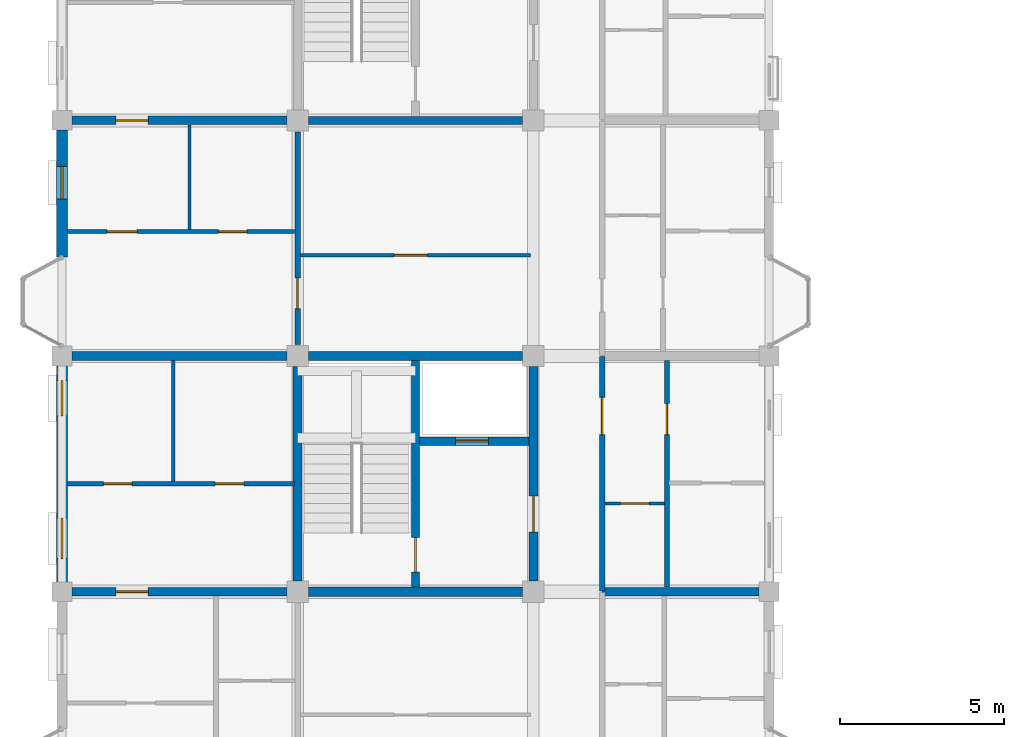
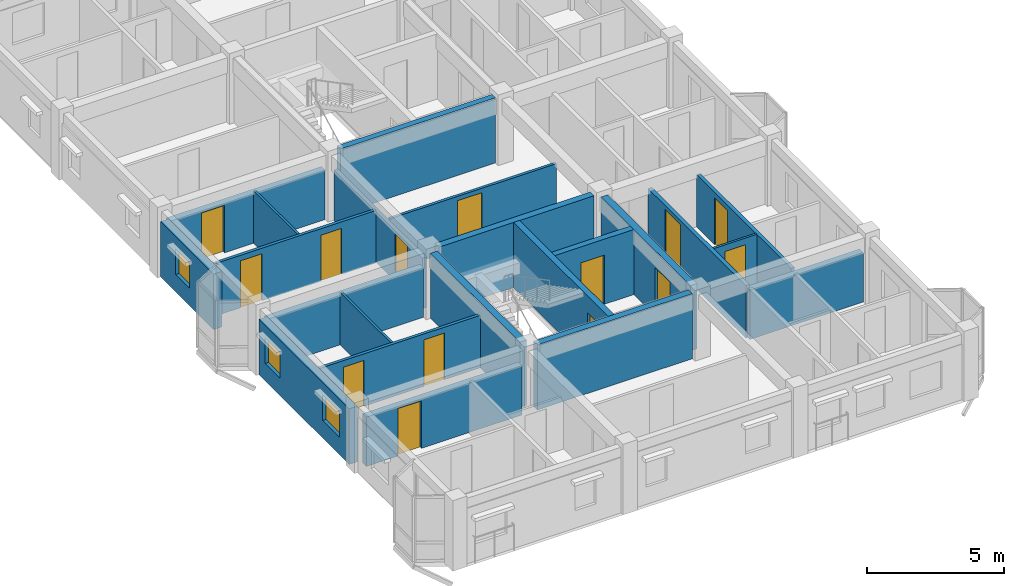
# One storey, part 96 of 124: 22 walls, 14 doors, 3 windows, 17 openings.
"""IFC4 building model written with IfcOpenShell, lengths in metres."""

from ifc_helpers import new_model, si_unit, direction, frame, frame_2d, origin, place, context, subcontext, project, spatial, rectangle, extrude, material, layer, layer_set, type_object, element, fill, save


model = new_model("IFC4")

# Units and contexts
model_context = context("Model", 3, precision=1e-05, world=origin(), true_north=direction((0.0, 1.0)))
body_context = subcontext(model_context, "Body", "Model", "MODEL_VIEW")
ifc_project = project(units=[si_unit("LENGTHUNIT", "METRE"), si_unit("AREAUNIT", "SQUARE_METRE"), si_unit("VOLUMEUNIT", "CUBIC_METRE"), si_unit("PLANEANGLEUNIT", "RADIAN"), si_unit("MASSUNIT", "GRAM", prefix="KILO"), si_unit("THERMODYNAMICTEMPERATUREUNIT", "KELVIN"), si_unit("POWERUNIT", "WATT")], contexts=[model_context])

# Site, building, storey
site_placement = place(None, origin())
site = spatial("IfcSite", under=ifc_project, at=site_placement, CompositionType="ELEMENT")
building_placement = place(site_placement, origin())
building = spatial("IfcBuilding", under=site, at=building_placement, Name="Tavuni Mirador Residences", CompositionType="ELEMENT")
storey_placement = place(building_placement, frame((0.0, 0.0, 7.64990234375)))
storey = spatial("IfcBuildingStorey", under=building, at=storey_placement, Name="L02", CompositionType="ELEMENT", Elevation=7.64990234375)

# Wall, opening, door
ifc_material_1 = material(Name="Precast concrete C40/50", Category="concrete")
ifc_layer_1 = layer(ifc_material_1, 0.25, Name="Precast concrete C40/50", Category="concrete")
ifc_layer_set_1 = layer_set([ifc_layer_1], Name="Precast concrete C40/50")
wall_type_1 = type_object("IfcWallType", Name="WT-COR250", PredefinedType="SHEAR", material=ifc_layer_set_1)
wall_1_placement = place(storey_placement, frame((14.39990234375, 72.139892578125, 0.0), z_axis=(0.0, 0.0, 1.0), x_axis=(0.0, 1.0, 0.0)))
wall_1 = element("IfcWall", 1, at=wall_1_placement, inside=storey, type_object=wall_type_1, Name="CWALL-C3-L02-MID", PredefinedType="SHEAR", context=body_context, shape_type="SweptSolid", body=[
    extrude(rectangle(XDim=6.920166015625, YDim=0.25, at=frame_2d((3.4599609375, 0.0))), origin(), (0.0, 0.0, 1.0), 2.91015625),
])
opening_1_placement = place(wall_1_placement, frame((0.4599609375, 0.0, 0.0)))
opening_1 = element("IfcOpeningElement", 2, at=opening_1_placement, cuts=wall_1, Name="Opening D-01", PredefinedType="OPENING", context=body_context, shape_type="SweptSolid", body=[
    extrude(rectangle(XDim=1.050048828125, YDim=2.14990234375, at=frame_2d((0.52490234375, 1.074951171875))), frame((0.0, 0.135009765625, 0.0), z_axis=(0.0, -1.0, 0.0), x_axis=(1.0, 0.0, 0.0)), (0.0, 0.0, 1.0), 0.27001953125),
])
ifc_material_2 = material(Name="Solid core iroko timber", Category="wood")
door_type_1 = type_object("IfcDoorType", Name="DT-ST1050", OperationType="NOTDEFINED", PredefinedType="DOOR", material=ifc_material_2)
door_1_placement = place(opening_1_placement, origin())
door_1 = element("IfcDoor", 3, at=door_1_placement, inside=storey, type_object=door_type_1, Name="DR-2119", OperationType="SINGLE_SWING_LEFT", OverallHeight=2.14990234375, OverallWidth=1.050048828125, PredefinedType="DOOR", context=body_context, shape_type="SweptSolid", body=[
    extrude(rectangle(XDim=1.050048828125, YDim=2.14990234375, at=frame_2d((0.52490234375, 1.074951171875))), frame((0.0, 0.02490234375, 0.0), z_axis=(0.0, -1.0, 0.0), x_axis=(1.0, 0.0, 0.0)), (0.0, 0.0, 1.0), 0.050048828125),
])
fill(opening_1, door_1)

wall_2_placement = place(storey_placement, frame((14.52490234375, 76.60009765625, 0.0), z_axis=(0.0, 0.0, 1.0), x_axis=(1.0, 0.0, 0.0)))
wall_2 = element("IfcWall", 4, at=wall_2_placement, inside=storey, type_object=wall_type_1, Name="CWALL-C3-L02-SHF", PredefinedType="SHEAR", context=body_context, shape_type="SweptSolid", body=[
    extrude(rectangle(XDim=3.335205078125, YDim=0.25, at=frame_2d((1.66748046875, 0.0))), origin(), (0.0, 0.0, 1.0), 2.91015625),
])
opening_2_placement = place(wall_2_placement, frame((1.10009765625, 0.0, 0.0)))
opening_2 = element("IfcOpeningElement", 5, at=opening_2_placement, cuts=wall_2, Name="Opening LD-02", PredefinedType="OPENING", context=body_context, shape_type="SweptSolid", body=[
    extrude(rectangle(XDim=1.0, YDim=2.199951171875, at=frame_2d((0.5, 1.10009765625))), frame((0.0, 0.135009765625, 0.0), z_axis=(0.0, -1.0, 0.0), x_axis=(1.0, 0.0, 0.0)), (0.0, 0.0, 1.0), 0.27001953125),
])
ifc_material_3 = material(Name="Structural steel S355", Category="steel")
door_type_2 = type_object("IfcDoorType", Name="DT-LD-PAX", OperationType="SLIDING_TO_LEFT", PredefinedType="DOOR", material=ifc_material_3)
door_2_placement = place(opening_2_placement, origin())
door_2 = element("IfcDoor", 6, at=door_2_placement, inside=storey, type_object=door_type_2, Name="Lift landing door PL-B1 L02", OperationType="SLIDING_TO_LEFT", OverallHeight=2.199951171875, OverallWidth=1.0, PredefinedType="DOOR", context=body_context, shape_type="SweptSolid", body=[
    extrude(rectangle(XDim=1.0, YDim=2.199951171875, at=frame_2d((0.5, 1.10009765625))), frame((0.0, 0.02490234375, 0.0), z_axis=(0.0, -1.0, 0.0), x_axis=(1.0, 0.0, 0.0)), (0.0, 0.0, 1.0), 0.050048828125),
])
fill(opening_2, door_2)

# Walls
wall_3_placement = place(storey_placement, frame((11.125, 86.39990234375, 0.0), z_axis=(0.0, 0.0, 1.0), x_axis=(1.0, 0.0, 0.0)))
element("IfcWall", 7, at=wall_3_placement, inside=storey, type_object=wall_type_1, Name="CWALL-C4-L02-SS", PredefinedType="SHEAR", context=body_context, shape_type="SweptSolid", body=[
    extrude(rectangle(XDim=6.550048828125, YDim=0.25, at=frame_2d((3.27490234375, 0.0))), origin(), (0.0, 0.0, 1.0), 2.91015625),
])
ifc_layer_2 = layer(ifc_material_1, 0.280029296875, Name="Precast concrete C40/50", Category="concrete")
ifc_layer_set_2 = layer_set([ifc_layer_2], Name="Precast concrete C40/50")
wall_type_2 = type_object("IfcWallType", Name="WT-COR280", PredefinedType="SHEAR", material=ifc_layer_set_2)
for number, where, z_axis, x_axis, name in (
    (8, (10.800048828125, 72.324951171875, 0.0), (0.0, 0.0, 1.0), (0.0, 1.0, 0.0), "CWALL-C3-L02-W"),
    (9, (11.125, 79.199951171875, 0.0), (0.0, 0.0, 1.0), (1.0, 0.0, 0.0), "CWALL-C3-L02-N"),
):
    element("IfcWall", number, at=place(storey_placement, frame(where, z_axis=z_axis, x_axis=x_axis)), inside=storey, type_object=wall_type_2, Name=name, PredefinedType="SHEAR", context=body_context, shape_type="SweptSolid", body=[
        extrude(rectangle(XDim=6.550048828125, YDim=0.280029296875, at=frame_2d((3.27490234375, 0.0))), origin(), (0.0, 0.0, 1.0), 2.91015625),
    ])

# Wall, opening, door
wall_4_placement = place(storey_placement, frame((18.0, 72.324951171875, 0.0), z_axis=(0.0, 0.0, 1.0), x_axis=(0.0, 1.0, 0.0)))
wall_4 = element("IfcWall", 10, at=wall_4_placement, inside=storey, type_object=wall_type_2, Name="CWALL-C3-L02-E", PredefinedType="SHEAR", context=body_context, shape_type="SweptSolid", body=[
    extrude(rectangle(XDim=6.550048828125, YDim=0.280029296875, at=frame_2d((3.27490234375, 0.0))), origin(), (0.0, 0.0, 1.0), 2.91015625),
])
opening_3_placement = place(wall_4_placement, frame((1.5, 0.0, 0.0)))
opening_3 = element("IfcOpeningElement", 11, at=opening_3_placement, cuts=wall_4, Name="Opening D-02", PredefinedType="OPENING", context=body_context, shape_type="SweptSolid", body=[
    extrude(rectangle(XDim=1.10009765625, YDim=2.14990234375, at=frame_2d((0.550048828125, 1.074951171875))), frame((0.0, 0.14990234375, 0.0), z_axis=(0.0, -1.0, 0.0), x_axis=(1.0, 0.0, 0.0)), (0.0, 0.0, 1.0), 0.300048828125),
])
door_type_3 = type_object("IfcDoorType", Name="DT-LOB1100", OperationType="NOTDEFINED", PredefinedType="DOOR", material=ifc_material_2)
door_3_placement = place(opening_3_placement, frame((1.10009765625, 0.0, 0.0), z_axis=(0.0, 0.0, 1.0), x_axis=(-1.0, 0.0, 0.0)))
door_3 = element("IfcDoor", 12, at=door_3_placement, inside=storey, type_object=door_type_3, Name="DR-2118", OperationType="SINGLE_SWING_LEFT", OverallHeight=2.14990234375, OverallWidth=1.10009765625, PredefinedType="DOOR", context=body_context, shape_type="SweptSolid", body=[
    extrude(rectangle(XDim=1.10009765625, YDim=2.14990234375, at=frame_2d((0.550048828125, 1.074951171875))), frame((0.0, 0.02490234375, 0.0), z_axis=(0.0, -1.0, 0.0), x_axis=(1.0, 0.0, 0.0)), (0.0, 0.0, 1.0), 0.050048828125),
])
fill(opening_3, door_3)

# Wall
wall_5_placement = place(storey_placement, frame((11.125, 72.0, 0.0), z_axis=(0.0, 0.0, 1.0), x_axis=(1.0, 0.0, 0.0)))
element("IfcWall", 13, at=wall_5_placement, inside=storey, type_object=wall_type_2, Name="CWALL-C3-L02-SS", PredefinedType="SHEAR", context=body_context, shape_type="SweptSolid", body=[
    extrude(rectangle(XDim=6.550048828125, YDim=0.280029296875, at=frame_2d((3.27490234375, 0.0))), origin(), (0.0, 0.0, 1.0), 2.91015625),
])

# Wall, opening, door
ifc_layer_3 = layer(ifc_material_1, 0.1650390625, Name="Precast concrete C40/50", Category="concrete")
ifc_layer_set_3 = layer_set([ifc_layer_3], Name="Precast concrete C40/50")
wall_type_3 = type_object("IfcWallType", Name="WT-CORR165", PredefinedType="PARTITIONING", material=ifc_layer_set_3)
wall_6_placement = place(storey_placement, frame((20.10009765625, 72.02001953125, 0.0), z_axis=(0.0, 0.0, 1.0), x_axis=(0.0, 1.0, 0.0)))
wall_6 = element("IfcWall", 14, at=wall_6_placement, inside=storey, type_object=wall_type_3, Name="CORW-BLK-B-L02-0-01", PredefinedType="PARTITIONING", context=body_context, shape_type="SweptSolid", body=[
    extrude(rectangle(XDim=7.159912109375, YDim=0.1650390625, at=frame_2d((3.580078125, 0.0))), origin(), (0.0, 0.0, 1.0), 2.34521484375),
])
opening_4_placement = place(wall_6_placement, frame((4.780029296875, 0.0, 0.0)))
opening_4 = element("IfcOpeningElement", 15, at=opening_4_placement, cuts=wall_6, Name="Opening D-20", PredefinedType="OPENING", context=body_context, shape_type="SweptSolid", body=[
    extrude(rectangle(XDim=1.139892578125, YDim=2.179931640625, at=frame_2d((0.56982421875, 1.08984375))), frame((0.0, 0.092529296875, 0.0), z_axis=(0.0, -1.0, 0.0), x_axis=(1.0, 0.0, 0.0)), (0.0, 0.0, 1.0), 0.18505859375),
])
door_type_4 = type_object("IfcDoorType", Name="DT-FD60-1140", OperationType="NOTDEFINED", PredefinedType="DOOR", material=ifc_material_2)
door_4_placement = place(opening_4_placement, origin())
door_4 = element("IfcDoor", 16, at=door_4_placement, inside=storey, type_object=door_type_4, Name="DR-2546", OperationType="SINGLE_SWING_LEFT", OverallHeight=2.179931640625, OverallWidth=1.139892578125, PredefinedType="DOOR", context=body_context, shape_type="SweptSolid", body=[
    extrude(rectangle(XDim=1.139892578125, YDim=2.179931640625, at=frame_2d((0.56982421875, 1.08984375))), frame((0.0, 0.02490234375, 0.0), z_axis=(0.0, -1.0, 0.0), x_axis=(1.0, 0.0, 0.0)), (0.0, 0.0, 1.0), 0.050048828125),
])
fill(opening_4, door_4)

wall_7_placement = place(storey_placement, frame((10.800048828125, 79.550048828125, 0.0), z_axis=(0.0, 0.0, 1.0), x_axis=(0.0, 1.0, 0.0)))
wall_7 = element("IfcWall", 17, at=wall_7_placement, inside=storey, type_object=wall_type_3, Name="CORW-BLK-B-L02-1-02", PredefinedType="PARTITIONING", context=body_context, shape_type="SweptSolid", body=[
    extrude(rectangle(XDim=6.5, YDim=0.1650390625, at=frame_2d((3.25, 0.0))), origin(), (0.0, 0.0, 1.0), 2.260009765625),
])
opening_5_placement = place(wall_7_placement, frame((1.10009765625, 0.0, 0.0)))
opening_5 = element("IfcOpeningElement", 18, at=opening_5_placement, cuts=wall_7, Name="Opening D-19", PredefinedType="OPENING", context=body_context, shape_type="SweptSolid", body=[
    extrude(rectangle(XDim=0.93994140625, YDim=2.1201171875, at=frame_2d((0.469970703125, 1.06005859375))), frame((0.0, 0.092529296875, 0.0), z_axis=(0.0, -1.0, 0.0), x_axis=(1.0, 0.0, 0.0)), (0.0, 0.0, 1.0), 0.18505859375),
])
door_type_5 = type_object("IfcDoorType", Name="DT-FD60-940", OperationType="NOTDEFINED", PredefinedType="DOOR", material=ifc_material_2)
door_5_placement = place(opening_5_placement, origin())
door_5 = element("IfcDoor", 19, at=door_5_placement, inside=storey, type_object=door_type_5, Name="DR-2551", OperationType="SINGLE_SWING_RIGHT", OverallHeight=2.1201171875, OverallWidth=0.93994140625, PredefinedType="DOOR", context=body_context, shape_type="SweptSolid", body=[
    extrude(rectangle(XDim=0.93994140625, YDim=2.1201171875, at=frame_2d((0.469970703125, 1.06005859375))), frame((0.0, 0.02490234375, 0.0), z_axis=(0.0, -1.0, 0.0), x_axis=(1.0, 0.0, 0.0)), (0.0, 0.0, 1.0), 0.050048828125),
])
fill(opening_5, door_5)

# Wall, opening, window
ifc_material_4 = material(Name="Sgraffito lime-rendered precast concrete C40/50", Category="concrete")
ifc_layer_4 = layer(ifc_material_4, 0.344970703125, Name="Sgraffito lime-rendered precast concrete C40/50", Category="concrete")
ifc_layer_set_4 = layer_set([ifc_layer_4], Name="Sgraffito lime-rendered precast concrete C40/50")
wall_type_4 = type_object("IfcWallType", Name="WT-EXT-PTY345", PredefinedType="SOLIDWALL", material=ifc_layer_set_4)
wall_8_placement = place(storey_placement, frame((3.60009765625, 86.10009765625, 0.0), z_axis=(0.0, 0.0, 1.0), x_axis=(0.0, -1.0, 0.0)))
wall_8 = element("IfcWall", 20, at=wall_8_placement, inside=storey, type_object=wall_type_4, Name="EW-BLK-B-L02-W02", PredefinedType="SOLIDWALL", context=body_context, shape_type="SweptSolid", body=[
    extrude(rectangle(XDim=3.880126953125, YDim=0.344970703125, at=frame_2d((1.93994140625, 0.0))), origin(), (0.0, 0.0, 1.0), 2.47998046875),
])
opening_6_placement = place(wall_8_placement, frame((1.10498046875, 0.0, 0.780029296875)))
opening_6 = element("IfcOpeningElement", 21, at=opening_6_placement, cuts=wall_8, Name="Opening WN-03", PredefinedType="OPENING", context=body_context, shape_type="SweptSolid", body=[
    extrude(rectangle(XDim=1.0, YDim=1.14990234375, at=frame_2d((0.5, 0.574951171875))), frame((0.0, 0.1826171875, 0.0), z_axis=(0.0, -1.0, 0.0), x_axis=(1.0, 0.0, 0.0)), (0.0, 0.0, 1.0), 0.364990234375),
])
ifc_material_5 = material(Name="Laminated solar-control glass", Category="glass")
window_type_1 = type_object("IfcWindowType", Name="WNT-03", PartitioningType="SINGLE_PANEL", PredefinedType="WINDOW", material=ifc_material_5)
window_1_placement = place(opening_6_placement, origin())
window_1 = element("IfcWindow", 22, at=window_1_placement, inside=storey, type_object=window_type_1, Name="WIN-0630", OverallHeight=1.14990234375, OverallWidth=1.0, PartitioningType="SINGLE_PANEL", PredefinedType="WINDOW", context=body_context, shape_type="SweptSolid", body=[
    extrude(rectangle(XDim=1.0, YDim=1.14990234375, at=frame_2d((0.5, 0.574951171875))), frame((0.0, 0.030029296875, 0.0), z_axis=(0.0, -1.0, 0.0), x_axis=(1.0, 0.0, 0.0)), (0.0, 0.0, 1.0), 0.06005859375),
])
fill(opening_6, window_1)

# Wall, openings, windows
wall_9_placement = place(storey_placement, frame((3.60009765625, 78.89990234375, 0.0), z_axis=(0.0, 0.0, 1.0), x_axis=(0.0, -1.0, 0.0)))
wall_9 = element("IfcWall", 23, at=wall_9_placement, inside=storey, type_object=wall_type_4, Name="EW-BLK-B-L02-W01", PredefinedType="SOLIDWALL", context=body_context, shape_type="SweptSolid", body=[
    extrude(rectangle(XDim=6.599853515625, YDim=0.344970703125, at=frame_2d((3.2998046875, 0.0))), origin(), (0.0, 0.0, 1.0), 2.47998046875),
])
opening_7_placement = place(wall_9_placement, frame((0.449951171875, 0.0, 0.780029296875)))
opening_7 = element("IfcOpeningElement", 24, at=opening_7_placement, cuts=wall_9, Name="Opening WN-04", PredefinedType="OPENING", context=body_context, shape_type="SweptSolid", body=[
    extrude(rectangle(XDim=1.080078125, YDim=1.14990234375, at=frame_2d((0.5400390625, 0.574951171875))), frame((0.0, 0.1826171875, 0.0), z_axis=(0.0, -1.0, 0.0), x_axis=(1.0, 0.0, 0.0)), (0.0, 0.0, 1.0), 0.364990234375),
])
opening_8_placement = place(wall_9_placement, frame((4.64990234375, 0.0, 0.780029296875)))
opening_8 = element("IfcOpeningElement", 25, at=opening_8_placement, cuts=wall_9, Name="Opening WN-06", PredefinedType="OPENING", context=body_context, shape_type="SweptSolid", body=[
    extrude(rectangle(XDim=1.239990234375, YDim=1.14990234375, at=frame_2d((0.6201171875, 0.574951171875))), frame((0.0, 0.1826171875, 0.0), z_axis=(0.0, -1.0, 0.0), x_axis=(1.0, 0.0, 0.0)), (0.0, 0.0, 1.0), 0.364990234375),
])
window_type_2 = type_object("IfcWindowType", Name="WNT-04", PartitioningType="SINGLE_PANEL", PredefinedType="WINDOW", material=ifc_material_5)
window_2_placement = place(opening_7_placement, origin())
window_2 = element("IfcWindow", 26, at=window_2_placement, inside=storey, type_object=window_type_2, Name="WIN-0631", OverallHeight=1.14990234375, OverallWidth=1.080078125, PartitioningType="SINGLE_PANEL", PredefinedType="WINDOW", context=body_context, shape_type="SweptSolid", body=[
    extrude(rectangle(XDim=1.080078125, YDim=1.14990234375, at=frame_2d((0.5400390625, 0.574951171875))), frame((0.0, 0.030029296875, 0.0), z_axis=(0.0, -1.0, 0.0), x_axis=(1.0, 0.0, 0.0)), (0.0, 0.0, 1.0), 0.06005859375),
])
fill(opening_7, window_2)
window_type_3 = type_object("IfcWindowType", Name="WNT-06", PartitioningType="SINGLE_PANEL", PredefinedType="WINDOW", material=ifc_material_5)
window_3_placement = place(opening_8_placement, origin())
window_3 = element("IfcWindow", 27, at=window_3_placement, inside=storey, type_object=window_type_3, Name="WIN-0632", OverallHeight=1.14990234375, OverallWidth=1.239990234375, PartitioningType="SINGLE_PANEL", PredefinedType="WINDOW", context=body_context, shape_type="SweptSolid", body=[
    extrude(rectangle(XDim=1.239990234375, YDim=1.14990234375, at=frame_2d((0.6201171875, 0.574951171875))), frame((0.0, 0.030029296875, 0.0), z_axis=(0.0, -1.0, 0.0), x_axis=(1.0, 0.0, 0.0)), (0.0, 0.0, 1.0), 0.06005859375),
])
fill(opening_8, window_3)

# Wall
ifc_material_6 = material(Name="Acoustic gypsum and concrete block partition", Category="concrete")
ifc_layer_5 = layer(ifc_material_6, 0.094970703125, Name="Acoustic gypsum and concrete block partition", Category="concrete")
ifc_layer_set_5 = layer_set([ifc_layer_5], Name="Acoustic gypsum and concrete block partition")
wall_type_5 = type_object("IfcWallType", Name="WT-PART095", PredefinedType="PARTITIONING", material=ifc_layer_set_5)
wall_10_placement = place(storey_placement, frame((7.0, 75.3701171875, 0.0), z_axis=(0.0, 0.0, 1.0), x_axis=(0.0, 1.0, 0.0)))
element("IfcWall", 28, at=wall_10_placement, inside=storey, type_object=wall_type_5, Name="PW-BLK-B-L02-PF01-V", PredefinedType="PARTITIONING", context=body_context, shape_type="SweptSolid", body=[
    extrude(rectangle(XDim=3.68994140625, YDim=0.094970703125, at=frame_2d((1.844970703125, 0.0))), origin(), (0.0, 0.0, 1.0), 2.34521484375),
])

# Wall, opening, door
wall_11_placement = place(storey_placement, frame((20.18994140625, 74.699951171875, 0.0), z_axis=(0.0, 0.0, 1.0), x_axis=(1.0, 0.0, 0.0)))
wall_11 = element("IfcWall", 29, at=wall_11_placement, inside=storey, type_object=wall_type_5, Name="PW-BLK-B-L02-E01-IN1", PredefinedType="PARTITIONING", context=body_context, shape_type="SweptSolid", body=[
    extrude(rectangle(XDim=1.820068359375, YDim=0.094970703125, at=frame_2d((0.91015625, 0.0))), origin(), (0.0, 0.0, 1.0), 2.34521484375),
])
opening_9_placement = place(wall_11_placement, frame((0.47509765625, 0.0, 0.0)))
opening_9 = element("IfcOpeningElement", 30, at=opening_9_placement, cuts=wall_11, Name="Opening D-10", PredefinedType="OPENING", context=body_context, shape_type="SweptSolid", body=[
    extrude(rectangle(XDim=0.8701171875, YDim=2.050048828125, at=frame_2d((0.43505859375, 1.02490234375))), frame((0.0, 0.0576171875, 0.0), z_axis=(0.0, -1.0, 0.0), x_axis=(1.0, 0.0, 0.0)), (0.0, 0.0, 1.0), 0.114990234375),
])
door_type_6 = type_object("IfcDoorType", Name="DT-WC870", OperationType="NOTDEFINED", PredefinedType="DOOR", material=ifc_material_2)
door_6_placement = place(opening_9_placement, origin())
door_6 = element("IfcDoor", 31, at=door_6_placement, inside=storey, type_object=door_type_6, Name="DR-3482", OperationType="SINGLE_SWING_RIGHT", OverallHeight=2.050048828125, OverallWidth=0.8701171875, PredefinedType="DOOR", context=body_context, shape_type="SweptSolid", body=[
    extrude(rectangle(XDim=0.8701171875, YDim=2.050048828125, at=frame_2d((0.43505859375, 1.02490234375))), frame((0.0, 0.02490234375, 0.0), z_axis=(0.0, -1.0, 0.0), x_axis=(1.0, 0.0, 0.0)), (0.0, 0.0, 1.0), 0.050048828125),
])
fill(opening_9, door_6)

# Wall
wall_12_placement = place(storey_placement, frame((7.5, 83.070068359375, 0.0), z_axis=(0.0, 0.0, 1.0), x_axis=(0.0, 1.0, 0.0)))
element("IfcWall", 32, at=wall_12_placement, inside=storey, type_object=wall_type_5, Name="PW-BLK-B-L02-PF02-V", PredefinedType="PARTITIONING", context=body_context, shape_type="SweptSolid", body=[
    extrude(rectangle(XDim=3.18994140625, YDim=0.094970703125, at=frame_2d((1.594970703125, 0.0))), origin(), (0.0, 0.0, 1.0), 2.34521484375),
])

# Wall, opening, door
ifc_layer_6 = layer(ifc_material_6, 0.114990234375, Name="Acoustic gypsum and concrete block partition", Category="concrete")
ifc_layer_set_6 = layer_set([ifc_layer_6], Name="Acoustic gypsum and concrete block partition")
wall_type_6 = type_object("IfcWallType", Name="WT-PART115", PredefinedType="PARTITIONING", material=ifc_layer_set_6)
wall_13_placement = place(storey_placement, frame((10.889892578125, 82.280029296875, 0.0), z_axis=(0.0, 0.0, 1.0), x_axis=(1.0, 0.0, 0.0)))
wall_13 = element("IfcWall", 33, at=wall_13_placement, inside=storey, type_object=wall_type_6, Name="PW-SPN-BLK-B-L02-02", PredefinedType="PARTITIONING", context=body_context, shape_type="SweptSolid", body=[
    extrude(rectangle(XDim=7.02001953125, YDim=0.114990234375, at=frame_2d((3.510009765625, 0.0))), origin(), (0.0, 0.0, 1.0), 2.34521484375),
])
opening_10_placement = place(wall_13_placement, frame((2.85009765625, 0.0, 0.0)))
opening_10 = element("IfcOpeningElement", 34, at=opening_10_placement, cuts=wall_13, Name="Opening D-13", PredefinedType="OPENING", context=body_context, shape_type="SweptSolid", body=[
    extrude(rectangle(XDim=1.02001953125, YDim=2.14990234375, at=frame_2d((0.510009765625, 1.074951171875))), frame((0.0, 0.0673828125, 0.0), z_axis=(0.0, -1.0, 0.0), x_axis=(1.0, 0.0, 0.0)), (0.0, 0.0, 1.0), 0.135009765625),
])
door_type_7 = type_object("IfcDoorType", Name="DT-MTG1020", OperationType="NOTDEFINED", PredefinedType="DOOR", material=ifc_material_2)
door_7_placement = place(opening_10_placement, origin())
door_7 = element("IfcDoor", 35, at=door_7_placement, inside=storey, type_object=door_type_7, Name="DR-3484", OperationType="SINGLE_SWING_LEFT", OverallHeight=2.14990234375, OverallWidth=1.02001953125, PredefinedType="DOOR", context=body_context, shape_type="SweptSolid", body=[
    extrude(rectangle(XDim=1.02001953125, YDim=2.14990234375, at=frame_2d((0.510009765625, 1.074951171875))), frame((0.0, 0.02490234375, 0.0), z_axis=(0.0, -1.0, 0.0), x_axis=(1.0, 0.0, 0.0)), (0.0, 0.0, 1.0), 0.050048828125),
])
fill(opening_10, door_7)

# Wall, openings, doors
ifc_layer_7 = layer(ifc_material_6, 0.125, Name="Acoustic gypsum and concrete block partition", Category="concrete")
ifc_layer_set_7 = layer_set([ifc_layer_7], Name="Acoustic gypsum and concrete block partition")
wall_type_7 = type_object("IfcWallType", Name="WT-PART125", PredefinedType="PARTITIONING", material=ifc_layer_set_7)
wall_14_placement = place(storey_placement, frame((3.77490234375, 75.300048828125, 0.0), z_axis=(0.0, 0.0, 1.0), x_axis=(1.0, 0.0, 0.0)))
wall_14 = element("IfcWall", 36, at=wall_14_placement, inside=storey, type_object=wall_type_7, Name="PW-BLK-B-L02-PF01-H", PredefinedType="PARTITIONING", context=body_context, shape_type="SweptSolid", body=[
    extrude(rectangle(XDim=6.93505859375, YDim=0.125, at=frame_2d((3.467529296875, 0.0))), origin(), (0.0, 0.0, 1.0), 2.34521484375),
])
opening_11_placement = place(wall_14_placement, frame((1.10009765625, 0.0, 0.0)))
opening_11 = element("IfcOpeningElement", 37, at=opening_11_placement, cuts=wall_14, Name="Opening D-10", PredefinedType="OPENING", context=body_context, shape_type="SweptSolid", body=[
    extrude(rectangle(XDim=0.8701171875, YDim=2.050048828125, at=frame_2d((0.43505859375, 1.02490234375))), frame((0.0, 0.072509765625, 0.0), z_axis=(0.0, -1.0, 0.0), x_axis=(1.0, 0.0, 0.0)), (0.0, 0.0, 1.0), 0.14501953125),
])
opening_12_placement = place(wall_14_placement, frame((4.5, 0.0, 0.0)))
opening_12 = element("IfcOpeningElement", 38, at=opening_12_placement, cuts=wall_14, Name="Opening D-08", PredefinedType="OPENING", context=body_context, shape_type="SweptSolid", body=[
    extrude(rectangle(XDim=0.8798828125, YDim=2.080078125, at=frame_2d((0.43994140625, 1.0400390625))), frame((0.0, 0.072509765625, 0.0), z_axis=(0.0, -1.0, 0.0), x_axis=(1.0, 0.0, 0.0)), (0.0, 0.0, 1.0), 0.14501953125),
])
door_type_8 = type_object("IfcDoorType", Name="DT-BED880", OperationType="NOTDEFINED", PredefinedType="DOOR", material=ifc_material_2)
door_8_placement = place(opening_12_placement, origin())
door_8 = element("IfcDoor", 39, at=door_8_placement, inside=storey, type_object=door_type_8, Name="DR-3480", OperationType="SINGLE_SWING_RIGHT", OverallHeight=2.080078125, OverallWidth=0.8798828125, PredefinedType="DOOR", context=body_context, shape_type="SweptSolid", body=[
    extrude(rectangle(XDim=0.8798828125, YDim=2.080078125, at=frame_2d((0.43994140625, 1.0400390625))), frame((0.0, 0.02490234375, 0.0), z_axis=(0.0, -1.0, 0.0), x_axis=(1.0, 0.0, 0.0)), (0.0, 0.0, 1.0), 0.050048828125),
])
fill(opening_12, door_8)
door_9_placement = place(opening_11_placement, origin())
door_9 = element("IfcDoor", 40, at=door_9_placement, inside=storey, type_object=door_type_6, Name="DR-3479", OperationType="SINGLE_SWING_LEFT", OverallHeight=2.050048828125, OverallWidth=0.8701171875, PredefinedType="DOOR", context=body_context, shape_type="SweptSolid", body=[
    extrude(rectangle(XDim=0.8701171875, YDim=2.050048828125, at=frame_2d((0.43505859375, 1.02490234375))), frame((0.0, 0.02490234375, 0.0), z_axis=(0.0, -1.0, 0.0), x_axis=(1.0, 0.0, 0.0)), (0.0, 0.0, 1.0), 0.050048828125),
])
fill(opening_11, door_9)

wall_15_placement = place(storey_placement, frame((3.77490234375, 83.0, 0.0), z_axis=(0.0, 0.0, 1.0), x_axis=(1.0, 0.0, 0.0)))
wall_15 = element("IfcWall", 41, at=wall_15_placement, inside=storey, type_object=wall_type_7, Name="PW-BLK-B-L02-PF02-H", PredefinedType="PARTITIONING", context=body_context, shape_type="SweptSolid", body=[
    extrude(rectangle(XDim=6.93505859375, YDim=0.125, at=frame_2d((3.467529296875, 0.0))), origin(), (0.0, 0.0, 1.0), 2.34521484375),
])
opening_13_placement = place(wall_15_placement, frame((4.60009765625, 0.0, 0.0)))
opening_13 = element("IfcOpeningElement", 42, at=opening_13_placement, cuts=wall_15, Name="Opening D-10", PredefinedType="OPENING", context=body_context, shape_type="SweptSolid", body=[
    extrude(rectangle(XDim=0.8701171875, YDim=2.050048828125, at=frame_2d((0.43505859375, 1.02490234375))), frame((0.0, 0.072509765625, 0.0), z_axis=(0.0, -1.0, 0.0), x_axis=(1.0, 0.0, 0.0)), (0.0, 0.0, 1.0), 0.14501953125),
])
opening_14_placement = place(wall_15_placement, frame((1.199951171875, 0.0, 0.0)))
opening_14 = element("IfcOpeningElement", 43, at=opening_14_placement, cuts=wall_15, Name="Opening D-06", PredefinedType="OPENING", context=body_context, shape_type="SweptSolid", body=[
    extrude(rectangle(XDim=0.919921875, YDim=2.10009765625, at=frame_2d((0.4599609375, 1.050048828125))), frame((0.0, 0.072509765625, 0.0), z_axis=(0.0, -1.0, 0.0), x_axis=(1.0, 0.0, 0.0)), (0.0, 0.0, 1.0), 0.14501953125),
])
door_type_9 = type_object("IfcDoorType", Name="DT-INT920", OperationType="NOTDEFINED", PredefinedType="DOOR", material=ifc_material_2)
door_10_placement = place(opening_14_placement, origin())
door_10 = element("IfcDoor", 44, at=door_10_placement, inside=storey, type_object=door_type_9, Name="DR-3486", OperationType="SINGLE_SWING_RIGHT", OverallHeight=2.10009765625, OverallWidth=0.919921875, PredefinedType="DOOR", context=body_context, shape_type="SweptSolid", body=[
    extrude(rectangle(XDim=0.919921875, YDim=2.10009765625, at=frame_2d((0.4599609375, 1.050048828125))), frame((0.0, 0.02490234375, 0.0), z_axis=(0.0, -1.0, 0.0), x_axis=(1.0, 0.0, 0.0)), (0.0, 0.0, 1.0), 0.050048828125),
])
fill(opening_14, door_10)
door_11_placement = place(opening_13_placement, origin())
door_11 = element("IfcDoor", 45, at=door_11_placement, inside=storey, type_object=door_type_6, Name="DR-3485", OperationType="SINGLE_SWING_LEFT", OverallHeight=2.050048828125, OverallWidth=0.8701171875, PredefinedType="DOOR", context=body_context, shape_type="SweptSolid", body=[
    extrude(rectangle(XDim=0.8701171875, YDim=2.050048828125, at=frame_2d((0.43505859375, 1.02490234375))), frame((0.0, 0.02490234375, 0.0), z_axis=(0.0, -1.0, 0.0), x_axis=(1.0, 0.0, 0.0)), (0.0, 0.0, 1.0), 0.050048828125),
])
fill(opening_13, door_11)

# Wall, opening, door
ifc_layer_8 = layer(ifc_material_6, 0.14990234375, Name="Acoustic gypsum and concrete block partition", Category="concrete")
ifc_layer_set_8 = layer_set([ifc_layer_8], Name="Acoustic gypsum and concrete block partition")
wall_type_8 = type_object("IfcWallType", Name="WT-PART150", PredefinedType="PARTITIONING", material=ifc_layer_set_8)
wall_16_placement = place(storey_placement, frame((22.080078125, 72.139892578125, 0.0), z_axis=(0.0, 0.0, 1.0), x_axis=(0.0, 1.0, 0.0)))
wall_16 = element("IfcWall", 46, at=wall_16_placement, inside=storey, type_object=wall_type_8, Name="PW-BLK-B-L02-E01-MID", PredefinedType="PARTITIONING", context=body_context, shape_type="SweptSolid", body=[
    extrude(rectangle(XDim=6.920166015625, YDim=0.14990234375, at=frame_2d((3.4599609375, 0.0))), origin(), (0.0, 0.0, 1.0), 2.34521484375),
])
opening_15_placement = place(wall_16_placement, frame((4.659912109375, 0.0, 0.0)))
opening_15 = element("IfcOpeningElement", 47, at=opening_15_placement, cuts=wall_16, Name="Opening D-05", PredefinedType="OPENING", context=body_context, shape_type="SweptSolid", body=[
    extrude(rectangle(XDim=0.949951171875, YDim=2.10009765625, at=frame_2d((0.47509765625, 1.050048828125))), frame((0.0, 0.0849609375, 0.0), z_axis=(0.0, -1.0, 0.0), x_axis=(1.0, 0.0, 0.0)), (0.0, 0.0, 1.0), 0.169921875),
])
door_type_10 = type_object("IfcDoorType", Name="DT-INT950", OperationType="NOTDEFINED", PredefinedType="DOOR", material=ifc_material_2)
door_12_placement = place(opening_15_placement, origin())
door_12 = element("IfcDoor", 48, at=door_12_placement, inside=storey, type_object=door_type_10, Name="DR-3483", OperationType="SINGLE_SWING_LEFT", OverallHeight=2.10009765625, OverallWidth=0.949951171875, PredefinedType="DOOR", context=body_context, shape_type="SweptSolid", body=[
    extrude(rectangle(XDim=0.949951171875, YDim=2.10009765625, at=frame_2d((0.47509765625, 1.050048828125))), frame((0.0, 0.02490234375, 0.0), z_axis=(0.0, -1.0, 0.0), x_axis=(1.0, 0.0, 0.0)), (0.0, 0.0, 1.0), 0.050048828125),
])
fill(opening_15, door_12)

ifc_layer_9 = layer(ifc_material_1, 0.264892578125, Name="Precast concrete C40/50", Category="concrete")
ifc_layer_set_9 = layer_set([ifc_layer_9], Name="Precast concrete C40/50")
wall_type_9 = type_object("IfcWallType", Name="WT-XW265", PredefinedType="SOLIDWALL", material=ifc_layer_set_9)
wall_17_placement = place(storey_placement, frame((3.89990234375, 72.0, 0.0), z_axis=(0.0, 0.0, 1.0), x_axis=(1.0, 0.0, 0.0)))
wall_17 = element("IfcWall", 49, at=wall_17_placement, inside=storey, type_object=wall_type_9, Name="XW-BLK-B-L02-W-01", PredefinedType="SOLIDWALL", context=body_context, shape_type="SweptSolid", body=[
    extrude(rectangle(XDim=6.5751953125, YDim=0.264892578125, at=frame_2d((3.28759765625, 0.0))), origin(), (0.0, 0.0, 1.0), 2.210205078125),
])
opening_16_placement = place(wall_17_placement, frame((1.35009765625, 0.0, 0.0)))
opening_16 = element("IfcOpeningElement", 50, at=opening_16_placement, cuts=wall_17, Name="Opening D-04", PredefinedType="OPENING", context=body_context, shape_type="SweptSolid", body=[
    extrude(rectangle(XDim=0.97998046875, YDim=2.1201171875, at=frame_2d((0.489990234375, 1.06005859375))), frame((0.0, 0.142578125, 0.0), z_axis=(0.0, -1.0, 0.0), x_axis=(1.0, 0.0, 0.0)), (0.0, 0.0, 1.0), 0.284912109375),
])
door_type_11 = type_object("IfcDoorType", Name="DT-FD60-980", OperationType="NOTDEFINED", PredefinedType="DOOR", material=ifc_material_2)
door_13_placement = place(opening_16_placement, origin())
door_13 = element("IfcDoor", 51, at=door_13_placement, inside=storey, type_object=door_type_11, Name="DR-4712", OperationType="SINGLE_SWING_LEFT", OverallHeight=2.1201171875, OverallWidth=0.97998046875, PredefinedType="DOOR", context=body_context, shape_type="SweptSolid", body=[
    extrude(rectangle(XDim=0.97998046875, YDim=2.1201171875, at=frame_2d((0.489990234375, 1.06005859375))), frame((0.0, 0.02490234375, 0.0), z_axis=(0.0, -1.0, 0.0), x_axis=(1.0, 0.0, 0.0)), (0.0, 0.0, 1.0), 0.050048828125),
])
fill(opening_16, door_13)

# Walls
wall_18_placement = place(storey_placement, frame((20.10009765625, 72.0, 0.0), z_axis=(0.0, 0.0, 1.0), x_axis=(1.0, 0.0, 0.0)))
element("IfcWall", 52, at=wall_18_placement, inside=storey, type_object=wall_type_9, Name="XW-BLK-B-L02-E-01", PredefinedType="SOLIDWALL", context=body_context, shape_type="SweptSolid", body=[
    extrude(rectangle(XDim=4.7998046875, YDim=0.264892578125, at=frame_2d((2.39990234375, 0.0))), origin(), (0.0, 0.0, 1.0), 2.210205078125),
])
wall_19_placement = place(storey_placement, frame((3.89990234375, 79.199951171875, 0.0), z_axis=(0.0, 0.0, 1.0), x_axis=(1.0, 0.0, 0.0)))
element("IfcWall", 53, at=wall_19_placement, inside=storey, type_object=wall_type_9, Name="XW-BLK-B-L02-W-02", PredefinedType="SOLIDWALL", context=body_context, shape_type="SweptSolid", body=[
    extrude(rectangle(XDim=6.5751953125, YDim=0.264892578125, at=frame_2d((3.28759765625, 0.0))), origin(), (0.0, 0.0, 1.0), 2.210205078125),
])

# Wall, opening, door
wall_20_placement = place(storey_placement, frame((3.89990234375, 86.39990234375, 0.0), z_axis=(0.0, 0.0, 1.0), x_axis=(1.0, 0.0, 0.0)))
wall_20 = element("IfcWall", 54, at=wall_20_placement, inside=storey, type_object=wall_type_9, Name="XW-BLK-B-L02-W-03", PredefinedType="SOLIDWALL", context=body_context, shape_type="SweptSolid", body=[
    extrude(rectangle(XDim=6.5751953125, YDim=0.264892578125, at=frame_2d((3.28759765625, 0.0))), origin(), (0.0, 0.0, 1.0), 2.210205078125),
])
opening_17_placement = place(wall_20_placement, frame((1.35009765625, 0.0, 0.0)))
opening_17 = element("IfcOpeningElement", 55, at=opening_17_placement, cuts=wall_20, Name="Opening D-04", PredefinedType="OPENING", context=body_context, shape_type="SweptSolid", body=[
    extrude(rectangle(XDim=0.97998046875, YDim=2.1201171875, at=frame_2d((0.489990234375, 1.06005859375))), frame((0.0, 0.142578125, 0.0), z_axis=(0.0, -1.0, 0.0), x_axis=(1.0, 0.0, 0.0)), (0.0, 0.0, 1.0), 0.284912109375),
])
door_14_placement = place(opening_17_placement, origin())
door_14 = element("IfcDoor", 56, at=door_14_placement, inside=storey, type_object=door_type_11, Name="DR-4713", OperationType="SINGLE_SWING_RIGHT", OverallHeight=2.1201171875, OverallWidth=0.97998046875, PredefinedType="DOOR", context=body_context, shape_type="SweptSolid", body=[
    extrude(rectangle(XDim=0.97998046875, YDim=2.1201171875, at=frame_2d((0.489990234375, 1.06005859375))), frame((0.0, 0.02490234375, 0.0), z_axis=(0.0, -1.0, 0.0), x_axis=(1.0, 0.0, 0.0)), (0.0, 0.0, 1.0), 0.050048828125),
])
fill(opening_17, door_14)

save(model, "model.ifc")
